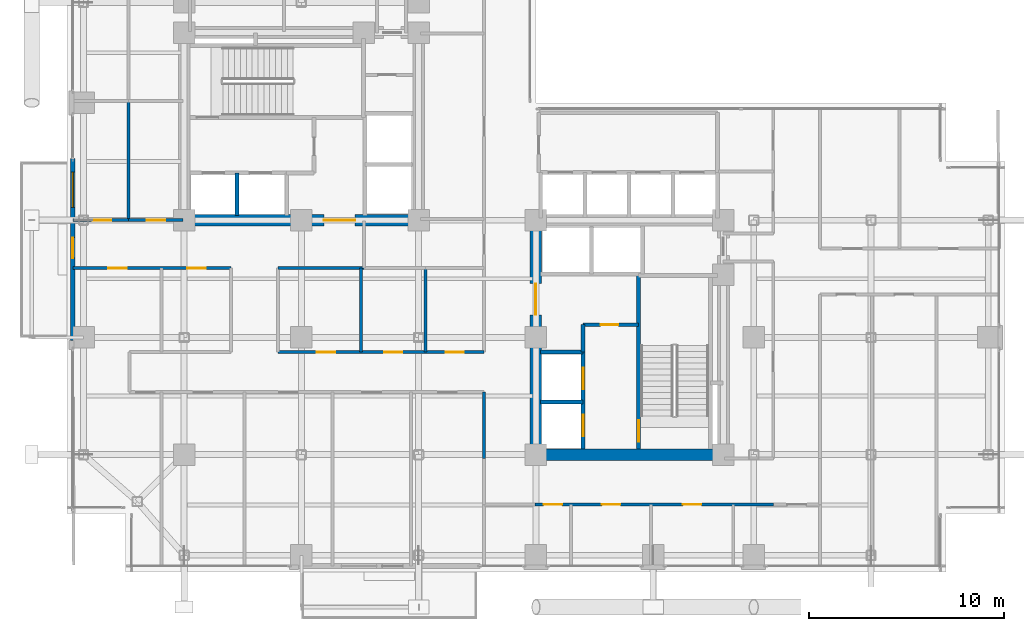
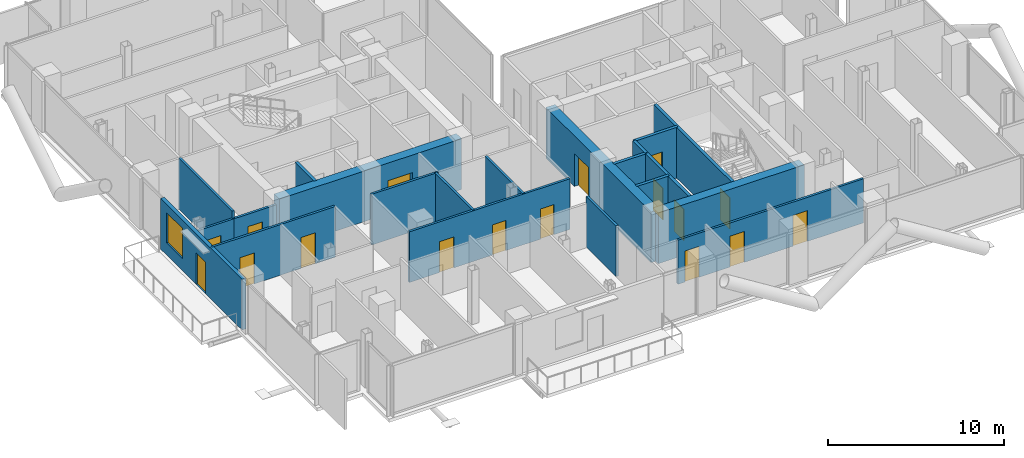
# One storey, part 19 of 24: 21 walls, 17 doors, 1 window, 18 openings.
"""IFC4 building model written with IfcOpenShell, lengths in metres."""

from ifc_helpers import new_model, si_unit, direction, frame, frame_2d, origin, place, context, subcontext, project, spatial, rectangle, extrude, material, layer, layer_set, type_object, element, fill, save


model = new_model("IFC4")

# Units and contexts
model_context = context("Model", 3, precision=1e-05, world=origin(), true_north=direction((0.0, 1.0)))
body_context = subcontext(model_context, "Body", "Model", "MODEL_VIEW")
ifc_project = project(units=[si_unit("LENGTHUNIT", "METRE"), si_unit("AREAUNIT", "SQUARE_METRE"), si_unit("VOLUMEUNIT", "CUBIC_METRE"), si_unit("PLANEANGLEUNIT", "RADIAN"), si_unit("MASSUNIT", "GRAM", prefix="KILO"), si_unit("THERMODYNAMICTEMPERATUREUNIT", "KELVIN"), si_unit("POWERUNIT", "WATT")], contexts=[model_context])

# Site, building, storey
site_placement = place(None, origin())
site = spatial("IfcSite", under=ifc_project, at=site_placement, CompositionType="ELEMENT")
building_placement = place(site_placement, origin())
building = spatial("IfcBuilding", under=site, at=building_placement, Name="Svarakhadi Broadcast Tower", CompositionType="ELEMENT")
storey_placement = place(building_placement, frame((0.0, 0.0, 156.89990234375)))
storey = spatial("IfcBuildingStorey", under=building, at=storey_placement, Name="L38", CompositionType="ELEMENT", Elevation=156.89990234375)

# Wall, openings, door, window
ifc_material_1 = material(Name="Concrete C40/50 (IS 456 M50)", Category="concrete")
ifc_layer_1 = layer(ifc_material_1, 0.239990234375)
ifc_layer_set_1 = layer_set([ifc_layer_1], Name="Concrete C40/50 (IS 456 M50)")
wall_type_1 = type_object("IfcWallType", Name="Wall_Ext_240", PredefinedType="SOLIDWALL", material=ifc_layer_set_1)
wall_1_placement = place(storey_placement, frame((0.300048828125, 11.85498046875, 0.0), z_axis=(0.0, 0.0, 1.0), x_axis=(0.0, 1.0, 0.0)))
wall_1 = element("IfcWall", 1, at=wall_1_placement, inside=storey, type_object=wall_type_1, Name="L38 West Tree Balcony Spandrel Wall", PredefinedType="SOLIDWALL", context=body_context, shape_type="SweptSolid", body=[
    extrude(rectangle(XDim=9.2900390625, YDim=0.239990234375, at=frame_2d((4.64501953125, 0.0))), origin(), (0.0, 0.0, 1.0), 3.525146484375),
])
opening_1_placement = place(wall_1_placement, frame((4.199951171875, 0.0, 0.0)))
opening_1 = element("IfcOpeningElement", 2, at=opening_1_placement, cuts=wall_1, Name="Opening ED-05", PredefinedType="OPENING", context=body_context, shape_type="SweptSolid", body=[
    extrude(rectangle(XDim=1.050048828125, YDim=2.199951171875, at=frame_2d((0.52490234375, 1.10009765625))), frame((0.0, 0.1298828125, 0.0), z_axis=(0.0, -1.0, 0.0), x_axis=(1.0, 0.0, 0.0)), (0.0, 0.0, 1.0), 0.260009765625),
])
opening_2_placement = place(wall_1_placement, frame((6.800048828125, 0.0, 0.85009765625)))
opening_2 = element("IfcOpeningElement", 3, at=opening_2_placement, cuts=wall_1, Name="Opening WN-02", PredefinedType="OPENING", context=body_context, shape_type="SweptSolid", body=[
    extrude(rectangle(XDim=1.800048828125, YDim=2.10009765625, at=frame_2d((0.89990234375, 1.050048828125))), frame((0.0, 0.1298828125, 0.0), z_axis=(0.0, -1.0, 0.0), x_axis=(1.0, 0.0, 0.0)), (0.0, 0.0, 1.0), 0.260009765625),
])
ifc_material_2 = material(Name="Anodised Bronze Aluminium AA 6063-T6", Category="aluminium")
door_type_1 = type_object("IfcDoorType", Name="Door_Ext_ED05", OperationType="SINGLE_SWING_LEFT", PredefinedType="DOOR", material=ifc_material_2)
door_1_placement = place(opening_1_placement, origin())
door_1 = element("IfcDoor", 4, at=door_1_placement, inside=storey, type_object=door_type_1, Name="L38 West Tree Balcony Door", OperationType="SINGLE_SWING_LEFT", OverallHeight=2.199951171875, OverallWidth=1.050048828125, PredefinedType="DOOR", context=body_context, shape_type="SweptSolid", body=[
    extrude(rectangle(XDim=1.050048828125, YDim=2.199951171875, at=frame_2d((0.52490234375, 1.10009765625))), frame((0.0, 0.02490234375, 0.0), z_axis=(0.0, -1.0, 0.0), x_axis=(1.0, 0.0, 0.0)), (0.0, 0.0, 1.0), 0.050048828125),
])
fill(opening_1, door_1)
ifc_material_3 = material(Name="Double Low-E Laminated Acoustic Glass IGU 36 mm", Category="glass")
window_type = type_object("IfcWindowType", Name="Win_Fixed_WN02", PartitioningType="SINGLE_PANEL", PredefinedType="WINDOW", material=ifc_material_3)
window_placement = place(opening_2_placement, origin())
window = element("IfcWindow", 5, at=window_placement, inside=storey, type_object=window_type, Name="L38 West Tree Balcony Window", OverallHeight=2.10009765625, OverallWidth=1.800048828125, PartitioningType="SINGLE_PANEL", PredefinedType="WINDOW", context=body_context, shape_type="SweptSolid", body=[
    extrude(rectangle(XDim=1.800048828125, YDim=2.10009765625, at=frame_2d((0.89990234375, 1.050048828125))), frame((0.0, 0.030029296875, 0.0), z_axis=(0.0, -1.0, 0.0), x_axis=(1.0, 0.0, 0.0)), (0.0, 0.0, 1.0), 0.06005859375),
])
fill(opening_2, window)

# Wall, openings, doors
ifc_material_4 = material(Name="Autoclaved Aerated Concrete Blockwork 150 mm", Category="masonry")
ifc_layer_2 = layer(ifc_material_4, 0.14990234375)
ifc_layer_set_2 = layer_set([ifc_layer_2], Name="Autoclaved Aerated Concrete Blockwork 150 mm")
wall_type_2 = type_object("IfcWallType", Name="Wall_Part_150", PredefinedType="PARTITIONING", material=ifc_layer_set_2)
wall_2_placement = place(storey_placement, frame((36.14990234375, 3.449951171875, 0.0), z_axis=(0.0, 0.0, 1.0), x_axis=(-1.0, 0.0, 0.0)))
wall_2 = element("IfcWall", 6, at=wall_2_placement, inside=storey, type_object=wall_type_2, Name="L38 Zone 2/3 Corridor Wall", PredefinedType="PARTITIONING", context=body_context, shape_type="SweptSolid", body=[
    extrude(rectangle(XDim=12.199951171875, YDim=0.14990234375, at=frame_2d((6.10009765625, 0.0))), origin(), (0.0, 0.0, 1.0), 3.067138671875),
])
opening_3_placement = place(wall_2_placement, frame((10.800048828125, 0.0, 0.0)))
opening_3 = element("IfcOpeningElement", 7, at=opening_3_placement, cuts=wall_2, Name="Opening D-07", PredefinedType="OPENING", context=body_context, shape_type="SweptSolid", body=[
    extrude(rectangle(XDim=0.949951171875, YDim=2.14990234375, at=frame_2d((0.47509765625, 1.074951171875))), frame((0.0, 0.0849609375, 0.0), z_axis=(0.0, -1.0, 0.0), x_axis=(1.0, 0.0, 0.0)), (0.0, 0.0, 1.0), 0.169921875),
])
opening_4_placement = place(wall_2_placement, frame((7.824951171875, 0.0, 0.0)))
opening_4 = element("IfcOpeningElement", 8, at=opening_4_placement, cuts=wall_2, Name="Opening D-06", PredefinedType="OPENING", context=body_context, shape_type="SweptSolid", body=[
    extrude(rectangle(XDim=0.949951171875, YDim=2.14990234375, at=frame_2d((0.47509765625, 1.074951171875))), frame((0.0, 0.0849609375, 0.0), z_axis=(0.0, -1.0, 0.0), x_axis=(1.0, 0.0, 0.0)), (0.0, 0.0, 1.0), 0.169921875),
])
opening_5_placement = place(wall_2_placement, frame((3.675048828125, 0.0, 0.0)))
opening_5 = element("IfcOpeningElement", 9, at=opening_5_placement, cuts=wall_2, Name="Opening D-07", PredefinedType="OPENING", context=body_context, shape_type="SweptSolid", body=[
    extrude(rectangle(XDim=0.949951171875, YDim=2.14990234375, at=frame_2d((0.47509765625, 1.074951171875))), frame((0.0, 0.0849609375, 0.0), z_axis=(0.0, -1.0, 0.0), x_axis=(1.0, 0.0, 0.0)), (0.0, 0.0, 1.0), 0.169921875),
])
ifc_material_5 = material(Name="Solid-Core Teak Veneer Acoustic Timber Leaf", Category="wood")
door_type_2 = type_object("IfcDoorType", Name="Door_Office_D06", OperationType="SINGLE_SWING_LEFT", PredefinedType="DOOR", material=ifc_material_5)
door_2_placement = place(opening_4_placement, origin())
door_2 = element("IfcDoor", 10, at=door_2_placement, inside=storey, type_object=door_type_2, Name="L38 Client Preview Briefing Room Door", OperationType="SINGLE_SWING_LEFT", OverallHeight=2.14990234375, OverallWidth=0.949951171875, PredefinedType="DOOR", context=body_context, shape_type="SweptSolid", body=[
    extrude(rectangle(XDim=0.949951171875, YDim=2.14990234375, at=frame_2d((0.47509765625, 1.074951171875))), frame((0.0, 0.02490234375, 0.0), z_axis=(0.0, -1.0, 0.0), x_axis=(1.0, 0.0, 0.0)), (0.0, 0.0, 1.0), 0.050048828125),
])
fill(opening_4, door_2)
door_type_3 = type_object("IfcDoorType", Name="Door_Office_D07", OperationType="SINGLE_SWING_RIGHT", PredefinedType="DOOR", material=ifc_material_5)
door_3_placement = place(opening_3_placement, origin())
door_3 = element("IfcDoor", 11, at=door_3_placement, inside=storey, type_object=door_type_3, Name="L38 Harbour Front Production Office Door", OperationType="SINGLE_SWING_RIGHT", OverallHeight=2.14990234375, OverallWidth=0.949951171875, PredefinedType="DOOR", context=body_context, shape_type="SweptSolid", body=[
    extrude(rectangle(XDim=0.949951171875, YDim=2.14990234375, at=frame_2d((0.47509765625, 1.074951171875))), frame((0.0, 0.02490234375, 0.0), z_axis=(0.0, -1.0, 0.0), x_axis=(1.0, 0.0, 0.0)), (0.0, 0.0, 1.0), 0.050048828125),
])
fill(opening_3, door_3)
door_4_placement = place(opening_5_placement, origin())
door_4 = element("IfcDoor", 12, at=door_4_placement, inside=storey, type_object=door_type_3, Name="L38 Artisanal Espresso Bar Door", OperationType="SINGLE_SWING_RIGHT", OverallHeight=2.14990234375, OverallWidth=0.949951171875, PredefinedType="DOOR", context=body_context, shape_type="SweptSolid", body=[
    extrude(rectangle(XDim=0.949951171875, YDim=2.14990234375, at=frame_2d((0.47509765625, 1.074951171875))), frame((0.0, 0.02490234375, 0.0), z_axis=(0.0, -1.0, 0.0), x_axis=(1.0, 0.0, 0.0)), (0.0, 0.0, 1.0), 0.050048828125),
])
fill(opening_5, door_4)

# Wall
wall_3_placement = place(storey_placement, frame((21.35009765625, 5.800048828125, 0.0), z_axis=(0.0, 0.0, 1.0), x_axis=(0.0, 1.0, 0.0)))
element("IfcWall", 13, at=wall_3_placement, inside=storey, type_object=wall_type_2, Name="L38 Zone 2/3 Corridor Wall", PredefinedType="PARTITIONING", context=body_context, shape_type="SweptSolid", body=[
    extrude(rectangle(XDim=3.39990234375, YDim=0.14990234375, at=frame_2d((1.699951171875, 0.0))), origin(), (0.0, 0.0, 1.0), 3.525146484375),
])

# Wall, openings, doors
wall_4_placement = place(storey_placement, frame((8.39990234375, 15.550048828125, 0.0), z_axis=(0.0, 0.0, 1.0), x_axis=(-1.0, 0.0, 0.0)))
wall_4 = element("IfcWall", 14, at=wall_4_placement, inside=storey, type_object=wall_type_2, Name="L38 Zone 2/3 Corridor Wall", PredefinedType="PARTITIONING", context=body_context, shape_type="SweptSolid", body=[
    extrude(rectangle(XDim=8.099853515625, YDim=0.14990234375, at=frame_2d((4.0498046875, 0.0))), origin(), (0.0, 0.0, 1.0), 3.525146484375),
])
opening_6_placement = place(wall_4_placement, frame((5.324951171875, 0.0, 0.0)))
opening_6 = element("IfcOpeningElement", 15, at=opening_6_placement, cuts=wall_4, Name="Opening D-07", PredefinedType="OPENING", context=body_context, shape_type="SweptSolid", body=[
    extrude(rectangle(XDim=0.949951171875, YDim=2.14990234375, at=frame_2d((0.47509765625, 1.074951171875))), frame((0.0, 0.0849609375, 0.0), z_axis=(0.0, -1.0, 0.0), x_axis=(1.0, 0.0, 0.0)), (0.0, 0.0, 1.0), 0.169921875),
])
opening_7_placement = place(wall_4_placement, frame((1.300048828125, 0.0, 0.0)))
opening_7 = element("IfcOpeningElement", 16, at=opening_7_placement, cuts=wall_4, Name="Opening D-06", PredefinedType="OPENING", context=body_context, shape_type="SweptSolid", body=[
    extrude(rectangle(XDim=0.949951171875, YDim=2.14990234375, at=frame_2d((0.47509765625, 1.074951171875))), frame((0.0, 0.0849609375, 0.0), z_axis=(0.0, -1.0, 0.0), x_axis=(1.0, 0.0, 0.0)), (0.0, 0.0, 1.0), 0.169921875),
])
door_5_placement = place(opening_7_placement, origin())
door_5 = element("IfcDoor", 17, at=door_5_placement, inside=storey, type_object=door_type_2, Name="L38 Broadcast Standards Study Door", OperationType="SINGLE_SWING_LEFT", OverallHeight=2.14990234375, OverallWidth=0.949951171875, PredefinedType="DOOR", context=body_context, shape_type="SweptSolid", body=[
    extrude(rectangle(XDim=0.949951171875, YDim=2.14990234375, at=frame_2d((0.47509765625, 1.074951171875))), frame((0.0, 0.02490234375, 0.0), z_axis=(0.0, -1.0, 0.0), x_axis=(1.0, 0.0, 0.0)), (0.0, 0.0, 1.0), 0.050048828125),
])
fill(opening_7, door_5)
door_6_placement = place(opening_6_placement, origin())
door_6 = element("IfcDoor", 18, at=door_6_placement, inside=storey, type_object=door_type_3, Name="L38 Research Library Lounge Door", OperationType="SINGLE_SWING_RIGHT", OverallHeight=2.14990234375, OverallWidth=0.949951171875, PredefinedType="DOOR", context=body_context, shape_type="SweptSolid", body=[
    extrude(rectangle(XDim=0.949951171875, YDim=2.14990234375, at=frame_2d((0.47509765625, 1.074951171875))), frame((0.0, 0.02490234375, 0.0), z_axis=(0.0, -1.0, 0.0), x_axis=(1.0, 0.0, 0.0)), (0.0, 0.0, 1.0), 0.050048828125),
])
fill(opening_6, door_6)

# Wall
wall_5_placement = place(storey_placement, frame((15.199951171875, 15.550048828125, 0.0), z_axis=(0.0, 0.0, 1.0), x_axis=(-1.0, 0.0, 0.0)))
element("IfcWall", 19, at=wall_5_placement, inside=storey, type_object=wall_type_2, Name="L38 Zone 2/3 Corridor Wall", PredefinedType="PARTITIONING", context=body_context, shape_type="SweptSolid", body=[
    extrude(rectangle(XDim=4.39990234375, YDim=0.14990234375, at=frame_2d((2.199951171875, 0.0))), origin(), (0.0, 0.0, 1.0), 3.525146484375),
])

# Wall, openings, doors
wall_6_placement = place(storey_placement, frame((10.800048828125, 11.25, 0.0), z_axis=(0.0, 0.0, 1.0), x_axis=(1.0, 0.0, 0.0)))
wall_6 = element("IfcWall", 20, at=wall_6_placement, inside=storey, type_object=wall_type_2, Name="L38 Zone 2/3 Corridor Wall", PredefinedType="PARTITIONING", context=body_context, shape_type="SweptSolid", body=[
    extrude(rectangle(XDim=10.550048828125, YDim=0.14990234375, at=frame_2d((5.27490234375, 0.0))), origin(), (0.0, 0.0, 1.0), 3.525146484375),
])
opening_8_placement = place(wall_6_placement, frame((1.97998046875, 0.0, 0.0)))
opening_8 = element("IfcOpeningElement", 21, at=opening_8_placement, cuts=wall_6, Name="Opening D-07", PredefinedType="OPENING", context=body_context, shape_type="SweptSolid", body=[
    extrude(rectangle(XDim=0.949951171875, YDim=2.14990234375, at=frame_2d((0.47509765625, 1.074951171875))), frame((0.0, 0.0849609375, 0.0), z_axis=(0.0, -1.0, 0.0), x_axis=(1.0, 0.0, 0.0)), (0.0, 0.0, 1.0), 0.169921875),
])
opening_9_placement = place(wall_6_placement, frame((5.449951171875, 0.0, 0.0)))
opening_9 = element("IfcOpeningElement", 22, at=opening_9_placement, cuts=wall_6, Name="Opening D-12", PredefinedType="OPENING", context=body_context, shape_type="SweptSolid", body=[
    extrude(rectangle(XDim=0.89990234375, YDim=2.10009765625, at=frame_2d((0.449951171875, 1.050048828125))), frame((0.0, 0.0849609375, 0.0), z_axis=(0.0, -1.0, 0.0), x_axis=(1.0, 0.0, 0.0)), (0.0, 0.0, 1.0), 0.169921875),
])
opening_10_placement = place(wall_6_placement, frame((8.60009765625, 0.0, 0.0)))
opening_10 = element("IfcOpeningElement", 23, at=opening_10_placement, cuts=wall_6, Name="Opening D-13", PredefinedType="OPENING", context=body_context, shape_type="SweptSolid", body=[
    extrude(rectangle(XDim=0.89990234375, YDim=2.10009765625, at=frame_2d((0.449951171875, 1.050048828125))), frame((0.0, 0.0849609375, 0.0), z_axis=(0.0, -1.0, 0.0), x_axis=(1.0, 0.0, 0.0)), (0.0, 0.0, 1.0), 0.169921875),
])
door_type_4 = type_object("IfcDoorType", Name="Door_Closet_D13", OperationType="SINGLE_SWING_RIGHT", PredefinedType="DOOR", material=ifc_material_5)
door_7_placement = place(opening_10_placement, origin())
door_7 = element("IfcDoor", 24, at=door_7_placement, inside=storey, type_object=door_type_4, Name="L38 Accessible Floor Washroom WC Door", OperationType="SINGLE_SWING_RIGHT", OverallHeight=2.10009765625, OverallWidth=0.89990234375, PredefinedType="DOOR", context=body_context, shape_type="SweptSolid", body=[
    extrude(rectangle(XDim=0.89990234375, YDim=2.10009765625, at=frame_2d((0.449951171875, 1.050048828125))), frame((0.0, 0.02490234375, 0.0), z_axis=(0.0, -1.0, 0.0), x_axis=(1.0, 0.0, 0.0)), (0.0, 0.0, 1.0), 0.050048828125),
])
fill(opening_10, door_7)
door_8_placement = place(opening_8_placement, origin())
door_8 = element("IfcDoor", 25, at=door_8_placement, inside=storey, type_object=door_type_3, Name="L38 Executive Huddle Room Door", OperationType="SINGLE_SWING_RIGHT", OverallHeight=2.14990234375, OverallWidth=0.949951171875, PredefinedType="DOOR", context=body_context, shape_type="SweptSolid", body=[
    extrude(rectangle(XDim=0.949951171875, YDim=2.14990234375, at=frame_2d((0.47509765625, 1.074951171875))), frame((0.0, 0.02490234375, 0.0), z_axis=(0.0, -1.0, 0.0), x_axis=(1.0, 0.0, 0.0)), (0.0, 0.0, 1.0), 0.050048828125),
])
fill(opening_8, door_8)
door_type_5 = type_object("IfcDoorType", Name="Door_WC_D01", OperationType="SINGLE_SWING_LEFT", PredefinedType="DOOR", material=ifc_material_5)
door_9_placement = place(opening_9_placement, origin())
door_9 = element("IfcDoor", 26, at=door_9_placement, inside=storey, type_object=door_type_5, Name="L38 Editorial Review Booth Door", OperationType="SINGLE_SWING_LEFT", OverallHeight=2.10009765625, OverallWidth=0.89990234375, PredefinedType="DOOR", context=body_context, shape_type="SweptSolid", body=[
    extrude(rectangle(XDim=0.89990234375, YDim=2.10009765625, at=frame_2d((0.449951171875, 1.050048828125))), frame((0.0, 0.02490234375, 0.0), z_axis=(0.0, -1.0, 0.0), x_axis=(1.0, 0.0, 0.0)), (0.0, 0.0, 1.0), 0.050048828125),
])
fill(opening_9, door_9)

# Walls
for number, where, z_axis, x_axis, name in (
    (27, (15.050048828125, 11.25, 0.0), (0.0, 0.0, 1.0), (0.0, 1.0, 0.0), "L38 Executive Huddle Room Wall"),
    (28, (18.35009765625, 11.25, 0.0), (0.0, 0.0, 1.0), (0.0, 1.0, 0.0), "L38 Editorial Review Booth Wall"),
):
    element("IfcWall", number, at=place(storey_placement, frame(where, z_axis=z_axis, x_axis=x_axis)), inside=storey, type_object=wall_type_2, Name=name, PredefinedType="PARTITIONING", context=body_context, shape_type="SweptSolid", body=[
        extrude(rectangle(XDim=4.300048828125, YDim=0.14990234375, at=frame_2d((2.14990234375, 0.0))), origin(), (0.0, 0.0, 1.0), 3.525146484375),
    ])

# Wall, opening, door
wall_7_placement = place(storey_placement, frame((0.300048828125, 18.0, 0.0), z_axis=(0.0, 0.0, 1.0), x_axis=(1.0, 0.0, 0.0)))
wall_7 = element("IfcWall", 29, at=wall_7_placement, inside=storey, type_object=wall_type_2, Name="L38 Arabian Sea Executive Studio Wall", PredefinedType="PARTITIONING", context=body_context, shape_type="SweptSolid", body=[
    extrude(rectangle(XDim=2.849853515625, YDim=0.14990234375, at=frame_2d((1.4248046875, 0.0))), origin(), (0.0, 0.0, 1.0), 3.01708984375),
])
opening_11_placement = place(wall_7_placement, frame((1.030029296875, 0.0, 0.0)))
opening_11 = element("IfcOpeningElement", 30, at=opening_11_placement, cuts=wall_7, Name="Opening D-07", PredefinedType="OPENING", context=body_context, shape_type="SweptSolid", body=[
    extrude(rectangle(XDim=0.949951171875, YDim=2.14990234375, at=frame_2d((0.47509765625, 1.074951171875))), frame((0.0, 0.0849609375, 0.0), z_axis=(0.0, -1.0, 0.0), x_axis=(1.0, 0.0, 0.0)), (0.0, 0.0, 1.0), 0.169921875),
])
door_10_placement = place(opening_11_placement, origin())
door_10 = element("IfcDoor", 31, at=door_10_placement, inside=storey, type_object=door_type_3, Name="L38 Arabian Sea Executive Studio Door", OperationType="SINGLE_SWING_RIGHT", OverallHeight=2.14990234375, OverallWidth=0.949951171875, PredefinedType="DOOR", context=body_context, shape_type="SweptSolid", body=[
    extrude(rectangle(XDim=0.949951171875, YDim=2.14990234375, at=frame_2d((0.47509765625, 1.074951171875))), frame((0.0, 0.02490234375, 0.0), z_axis=(0.0, -1.0, 0.0), x_axis=(1.0, 0.0, 0.0)), (0.0, 0.0, 1.0), 0.050048828125),
])
fill(opening_11, door_10)

# Wall
wall_8_placement = place(storey_placement, frame((3.14990234375, 18.0, 0.0), z_axis=(0.0, 0.0, 1.0), x_axis=(0.0, 1.0, 0.0)))
element("IfcWall", 32, at=wall_8_placement, inside=storey, type_object=wall_type_2, Name="L38 Arabian Sea Executive Studio Wall", PredefinedType="PARTITIONING", context=body_context, shape_type="SweptSolid", body=[
    extrude(rectangle(XDim=6.10009765625, YDim=0.14990234375, at=frame_2d((3.050048828125, 0.0))), origin(), (0.0, 0.0, 1.0), 3.525146484375),
])

# Wall, opening, door
wall_9_placement = place(storey_placement, frame((3.14990234375, 18.0, 0.0), z_axis=(0.0, 0.0, 1.0), x_axis=(1.0, 0.0, 0.0)))
wall_9 = element("IfcWall", 33, at=wall_9_placement, inside=storey, type_object=wall_type_2, Name="L38 Arabian Sea Executive Studio Wall", PredefinedType="PARTITIONING", context=body_context, shape_type="SweptSolid", body=[
    extrude(rectangle(XDim=2.800048828125, YDim=0.14990234375, at=frame_2d((1.39990234375, 0.0))), origin(), (0.0, 0.0, 1.0), 3.01708984375),
])
opening_12_placement = place(wall_9_placement, frame((0.925048828125, 0.0, 0.0)))
opening_12 = element("IfcOpeningElement", 34, at=opening_12_placement, cuts=wall_9, Name="Opening D-06", PredefinedType="OPENING", context=body_context, shape_type="SweptSolid", body=[
    extrude(rectangle(XDim=0.949951171875, YDim=2.14990234375, at=frame_2d((0.47509765625, 1.074951171875))), frame((0.0, 0.0849609375, 0.0), z_axis=(0.0, -1.0, 0.0), x_axis=(1.0, 0.0, 0.0)), (0.0, 0.0, 1.0), 0.169921875),
])
door_11_placement = place(opening_12_placement, origin())
door_11 = element("IfcDoor", 35, at=door_11_placement, inside=storey, type_object=door_type_2, Name="L38 Arabian Sea Executive Studio Door", OperationType="SINGLE_SWING_LEFT", OverallHeight=2.14990234375, OverallWidth=0.949951171875, PredefinedType="DOOR", context=body_context, shape_type="SweptSolid", body=[
    extrude(rectangle(XDim=0.949951171875, YDim=2.14990234375, at=frame_2d((0.47509765625, 1.074951171875))), frame((0.0, 0.02490234375, 0.0), z_axis=(0.0, -1.0, 0.0), x_axis=(1.0, 0.0, 0.0)), (0.0, 0.0, 1.0), 0.050048828125),
])
fill(opening_12, door_11)

ifc_material_6 = material(Name="Concrete C50/60 (IS 456 M60)", Category="concrete")
ifc_layer_3 = layer(ifc_material_6, 0.199951171875)
ifc_layer_set_3 = layer_set([ifc_layer_3], Name="Concrete C50/60 (IS 456 M60)")
wall_type_3 = type_object("IfcWallType", Name="Wall_Shear_200", PredefinedType="SHEAR", material=ifc_layer_set_3)
wall_10_placement = place(storey_placement, frame((29.260009765625, 6.300048828125, 0.0), z_axis=(0.0, 0.0, 1.0), x_axis=(0.0, 1.0, 0.0)))
wall_10 = element("IfcWall", 36, at=wall_10_placement, inside=storey, type_object=wall_type_3, Name="L38 Stair ST-02 West RC Shaft Wall", PredefinedType="SHEAR", context=body_context, shape_type="SweptSolid", body=[
    extrude(rectangle(XDim=8.8798828125, YDim=0.199951171875, at=frame_2d((4.43994140625, 0.0))), origin(), (0.0, 0.0, 1.0), 3.525146484375),
])
opening_13_placement = place(wall_10_placement, frame((0.35009765625, 0.0, 0.0)))
opening_13 = element("IfcOpeningElement", 37, at=opening_13_placement, cuts=wall_10, Name="Opening D-02", PredefinedType="OPENING", context=body_context, shape_type="SweptSolid", body=[
    extrude(rectangle(XDim=1.10009765625, YDim=2.199951171875, at=frame_2d((0.550048828125, 1.10009765625))), frame((0.0, 0.10986328125, 0.0), z_axis=(0.0, -1.0, 0.0), x_axis=(1.0, 0.0, 0.0)), (0.0, 0.0, 1.0), 0.219970703125),
])
ifc_material_7 = material(Name="Galvanised Powder-Coated Fire-Rated Steel Leaf", Category="steel")
door_type_6 = type_object("IfcDoorType", Name="Door_Stair_D02", OperationType="SINGLE_SWING_RIGHT", PredefinedType="DOOR", material=ifc_material_7)
door_12_placement = place(opening_13_placement, origin())
door_12 = element("IfcDoor", 38, at=door_12_placement, inside=storey, type_object=door_type_6, Name="L38 Protected Exit Stair ST-02 Fire Door", OperationType="SINGLE_SWING_RIGHT", OverallHeight=2.199951171875, OverallWidth=1.10009765625, PredefinedType="DOOR", context=body_context, shape_type="SweptSolid", body=[
    extrude(rectangle(XDim=1.10009765625, YDim=2.199951171875, at=frame_2d((0.550048828125, 1.10009765625))), frame((0.0, 0.02490234375, 0.0), z_axis=(0.0, -1.0, 0.0), x_axis=(1.0, 0.0, 0.0)), (0.0, 0.0, 1.0), 0.050048828125),
])
fill(opening_13, door_12)

# Wall
wall_11_placement = place(storey_placement, frame((8.699951171875, 18.25, 0.0), z_axis=(0.0, 0.0, 1.0), x_axis=(0.0, 1.0, 0.0)))
element("IfcWall", 39, at=wall_11_placement, inside=storey, type_object=wall_type_3, Name="L38 Firefighting Lift LF-01/02 Divider Wall", PredefinedType="SHEAR", context=body_context, shape_type="SweptSolid", body=[
    extrude(rectangle(XDim=2.169921875, YDim=0.199951171875, at=frame_2d((1.0849609375, 0.0))), origin(), (0.0, 0.0, 1.0), 3.525146484375),
])

# Wall, openings, doors
wall_12_placement = place(storey_placement, frame((26.419921875, 6.300048828125, 0.0), z_axis=(0.0, 0.0, 1.0), x_axis=(0.0, 1.0, 0.0)))
wall_12 = element("IfcWall", 40, at=wall_12_placement, inside=storey, type_object=wall_type_3, Name="L38 Firefighting Lift LF-03/04 Shaft Wall", PredefinedType="SHEAR", context=body_context, shape_type="SweptSolid", body=[
    extrude(rectangle(XDim=4.949951171875, YDim=0.199951171875, at=frame_2d((2.47509765625, 0.0))), origin(), (0.0, 0.0, 1.0), 3.525146484375),
])
opening_14_placement = place(wall_12_placement, frame((0.64990234375, 0.0, 0.0)))
opening_14 = element("IfcOpeningElement", 41, at=opening_14_placement, cuts=wall_12, Name="Opening LD-01", PredefinedType="OPENING", context=body_context, shape_type="SweptSolid", body=[
    extrude(rectangle(XDim=1.10009765625, YDim=2.199951171875, at=frame_2d((0.550048828125, 1.10009765625))), frame((0.0, 0.10986328125, 0.0), z_axis=(0.0, -1.0, 0.0), x_axis=(1.0, 0.0, 0.0)), (0.0, 0.0, 1.0), 0.219970703125),
])
opening_15_placement = place(wall_12_placement, frame((3.050048828125, 0.0, 0.0)))
opening_15 = element("IfcOpeningElement", 42, at=opening_15_placement, cuts=wall_12, Name="Opening LD-01", PredefinedType="OPENING", context=body_context, shape_type="SweptSolid", body=[
    extrude(rectangle(XDim=1.10009765625, YDim=2.199951171875, at=frame_2d((0.550048828125, 1.10009765625))), frame((0.0, 0.10986328125, 0.0), z_axis=(0.0, -1.0, 0.0), x_axis=(1.0, 0.0, 0.0)), (0.0, 0.0, 1.0), 0.219970703125),
])
door_type_7 = type_object("IfcDoorType", Name="Door_Lift_LD01", OperationType="SLIDING_TO_LEFT", PredefinedType="DOOR", material=ifc_material_7)
door_13_placement = place(opening_14_placement, origin())
door_13 = element("IfcDoor", 43, at=door_13_placement, inside=storey, type_object=door_type_7, Name="L38 Firefighting Lift LF-03 Landing Door", OperationType="SLIDING_TO_LEFT", OverallHeight=2.199951171875, OverallWidth=1.10009765625, PredefinedType="DOOR", context=body_context, shape_type="SweptSolid", body=[
    extrude(rectangle(XDim=1.10009765625, YDim=2.199951171875, at=frame_2d((0.550048828125, 1.10009765625))), frame((0.0, 0.02490234375, 0.0), z_axis=(0.0, -1.0, 0.0), x_axis=(1.0, 0.0, 0.0)), (0.0, 0.0, 1.0), 0.050048828125),
])
fill(opening_14, door_13)
door_14_placement = place(opening_15_placement, origin())
door_14 = element("IfcDoor", 44, at=door_14_placement, inside=storey, type_object=door_type_7, Name="L38 Firefighting Lift LF-04 Landing Door", OperationType="SLIDING_TO_LEFT", OverallHeight=2.199951171875, OverallWidth=1.10009765625, PredefinedType="DOOR", context=body_context, shape_type="SweptSolid", body=[
    extrude(rectangle(XDim=1.10009765625, YDim=2.199951171875, at=frame_2d((0.550048828125, 1.10009765625))), frame((0.0, 0.02490234375, 0.0), z_axis=(0.0, -1.0, 0.0), x_axis=(1.0, 0.0, 0.0)), (0.0, 0.0, 1.0), 0.050048828125),
])
fill(opening_15, door_14)

# Walls
for number, where, z_axis, x_axis, name in (
    (45, (24.25, 8.699951171875, 0.0), (0.0, 0.0, 1.0), (1.0, 0.0, 0.0), "L38 Firefighting Lift LF-03/04 Divider Wall"),
    (46, (24.25, 11.25, 0.0), (0.0, 0.0, 1.0), (1.0, 0.0, 0.0), "L38 Firefighting Lift LF-04 North Wall"),
):
    element("IfcWall", number, at=place(storey_placement, frame(where, z_axis=z_axis, x_axis=x_axis)), inside=storey, type_object=wall_type_3, Name=name, PredefinedType="SHEAR", context=body_context, shape_type="SweptSolid", body=[
        extrude(rectangle(XDim=2.169921875, YDim=0.199951171875, at=frame_2d((1.0849609375, 0.0))), origin(), (0.0, 0.0, 1.0), 3.525146484375),
    ])
wall_13_placement = place(storey_placement, frame((26.419921875, 11.25, 0.0), z_axis=(0.0, 0.0, 1.0), x_axis=(0.0, 1.0, 0.0)))
element("IfcWall", 47, at=wall_13_placement, inside=storey, type_object=wall_type_3, Name="L38 East Firefighting Lobby West Wall", PredefinedType="SHEAR", context=body_context, shape_type="SweptSolid", body=[
    extrude(rectangle(XDim=1.39990234375, YDim=0.199951171875, at=frame_2d((0.699951171875, 0.0))), origin(), (0.0, 0.0, 1.0), 3.525146484375),
])

# Wall, opening, door
wall_14_placement = place(storey_placement, frame((26.419921875, 12.64990234375, 0.0), z_axis=(0.0, 0.0, 1.0), x_axis=(1.0, 0.0, 0.0)))
wall_14 = element("IfcWall", 48, at=wall_14_placement, inside=storey, type_object=wall_type_3, Name="L38 East Firefighting Lobby North Wall", PredefinedType="SHEAR", context=body_context, shape_type="SweptSolid", body=[
    extrude(rectangle(XDim=2.840087890625, YDim=0.199951171875, at=frame_2d((1.419921875, 0.0))), origin(), (0.0, 0.0, 1.0), 3.525146484375),
])
opening_16_placement = place(wall_14_placement, frame((0.89990234375, 0.0, 0.0)))
opening_16 = element("IfcOpeningElement", 49, at=opening_16_placement, cuts=wall_14, Name="Opening D-03", PredefinedType="OPENING", context=body_context, shape_type="SweptSolid", body=[
    extrude(rectangle(XDim=0.89990234375, YDim=2.14990234375, at=frame_2d((0.449951171875, 1.074951171875))), frame((0.0, 0.10986328125, 0.0), z_axis=(0.0, -1.0, 0.0), x_axis=(1.0, 0.0, 0.0)), (0.0, 0.0, 1.0), 0.219970703125),
])
door_type_8 = type_object("IfcDoorType", Name="Door_Fire_D03", OperationType="SINGLE_SWING_LEFT", PredefinedType="DOOR", material=ifc_material_7)
door_15_placement = place(opening_16_placement, origin())
door_15 = element("IfcDoor", 50, at=door_15_placement, inside=storey, type_object=door_type_8, Name="L38 East Firefighting Lobby Fire Door", OperationType="SINGLE_SWING_LEFT", OverallHeight=2.14990234375, OverallWidth=0.89990234375, PredefinedType="DOOR", context=body_context, shape_type="SweptSolid", body=[
    extrude(rectangle(XDim=0.89990234375, YDim=2.14990234375, at=frame_2d((0.449951171875, 1.074951171875))), frame((0.0, 0.02490234375, 0.0), z_axis=(0.0, -1.0, 0.0), x_axis=(1.0, 0.0, 0.0)), (0.0, 0.0, 1.0), 0.050048828125),
])
fill(opening_16, door_15)

ifc_material_8 = material(Name="Concrete C60/75 (IS 456 M70)", Category="concrete")
ifc_layer_4 = layer(ifc_material_8, 0.60009765625)
ifc_layer_set_4 = layer_set([ifc_layer_4], Name="Concrete C60/75 (IS 456 M70)")
wall_type_4 = type_object("IfcWallType", Name="Wall_Shear_600", PredefinedType="SHEAR", material=ifc_layer_set_4)
wall_15_placement = place(storey_placement, frame((6.0, 18.0, 0.0), z_axis=(0.0, 0.0, 1.0), x_axis=(1.0, 0.0, 0.0)))
wall_15 = element("IfcWall", 51, at=wall_15_placement, inside=storey, type_object=wall_type_4, Name="L38 West Core South Shear Wall", PredefinedType="SHEAR", context=body_context, shape_type="SweptSolid", body=[
    extrude(rectangle(XDim=12.0, YDim=0.60009765625, at=frame_2d((6.0, 0.0))), origin(), (0.0, 0.0, 1.0), 3.525146484375),
])
opening_17_placement = place(wall_15_placement, frame((7.14990234375, 0.0, 0.0)))
opening_17 = element("IfcOpeningElement", 52, at=opening_17_placement, cuts=wall_15, Name="Opening D-05", PredefinedType="OPENING", context=body_context, shape_type="SweptSolid", body=[
    extrude(rectangle(XDim=1.60009765625, YDim=2.300048828125, at=frame_2d((0.800048828125, 1.14990234375))), frame((0.0, 0.31005859375, 0.0), z_axis=(0.0, -1.0, 0.0), x_axis=(1.0, 0.0, 0.0)), (0.0, 0.0, 1.0), 0.6201171875),
])
door_type_9 = type_object("IfcDoorType", Name="Door_Lobby_D05", OperationType="DOUBLE_DOOR_SLIDING", PredefinedType="DOOR", material=ifc_material_2)
door_16_placement = place(opening_17_placement, origin())
door_16 = element("IfcDoor", 53, at=door_16_placement, inside=storey, type_object=door_type_9, Name="L38 West Core Passenger Lift Lobby Entrance Door", OperationType="DOUBLE_DOOR_SLIDING", OverallHeight=2.300048828125, OverallWidth=1.60009765625, PredefinedType="DOOR", context=body_context, shape_type="SweptSolid", body=[
    extrude(rectangle(XDim=1.60009765625, YDim=2.300048828125, at=frame_2d((0.800048828125, 1.14990234375))), frame((0.0, 0.02490234375, 0.0), z_axis=(0.0, -1.0, 0.0), x_axis=(1.0, 0.0, 0.0)), (0.0, 0.0, 1.0), 0.050048828125),
])
fill(opening_17, door_16)

# Wall
wall_16_placement = place(storey_placement, frame((24.0, 6.0, 0.0), z_axis=(0.0, 0.0, 1.0), x_axis=(1.0, 0.0, 0.0)))
element("IfcWall", 54, at=wall_16_placement, inside=storey, type_object=wall_type_4, Name="L38 East Core South Shear Wall", PredefinedType="SHEAR", context=body_context, shape_type="SweptSolid", body=[
    extrude(rectangle(XDim=9.60009765625, YDim=0.60009765625, at=frame_2d((4.800048828125, 0.0))), origin(), (0.0, 0.0, 1.0), 3.525146484375),
])

# Wall, opening, door
wall_17_placement = place(storey_placement, frame((24.0, 6.0, 0.0), z_axis=(0.0, 0.0, 1.0), x_axis=(0.0, 1.0, 0.0)))
wall_17 = element("IfcWall", 55, at=wall_17_placement, inside=storey, type_object=wall_type_4, Name="L38 East Core West Shear Wall", PredefinedType="SHEAR", context=body_context, shape_type="SweptSolid", body=[
    extrude(rectangle(XDim=12.0, YDim=0.60009765625, at=frame_2d((6.0, 0.0))), origin(), (0.0, 0.0, 1.0), 3.525146484375),
])
opening_18_placement = place(wall_17_placement, frame((7.14990234375, 0.0, 0.0)))
opening_18 = element("IfcOpeningElement", 56, at=opening_18_placement, cuts=wall_17, Name="Opening D-05", PredefinedType="OPENING", context=body_context, shape_type="SweptSolid", body=[
    extrude(rectangle(XDim=1.60009765625, YDim=2.300048828125, at=frame_2d((0.800048828125, 1.14990234375))), frame((0.0, 0.31005859375, 0.0), z_axis=(0.0, -1.0, 0.0), x_axis=(1.0, 0.0, 0.0)), (0.0, 0.0, 1.0), 0.6201171875),
])
door_17_placement = place(opening_18_placement, origin())
door_17 = element("IfcDoor", 57, at=door_17_placement, inside=storey, type_object=door_type_9, Name="L38 East Core Passenger Lift Lobby Entrance Door", OperationType="DOUBLE_DOOR_SLIDING", OverallHeight=2.300048828125, OverallWidth=1.60009765625, PredefinedType="DOOR", context=body_context, shape_type="SweptSolid", body=[
    extrude(rectangle(XDim=1.60009765625, YDim=2.300048828125, at=frame_2d((0.800048828125, 1.14990234375))), frame((0.0, 0.02490234375, 0.0), z_axis=(0.0, -1.0, 0.0), x_axis=(1.0, 0.0, 0.0)), (0.0, 0.0, 1.0), 0.050048828125),
])
fill(opening_18, door_17)

save(model, "model.ifc")
